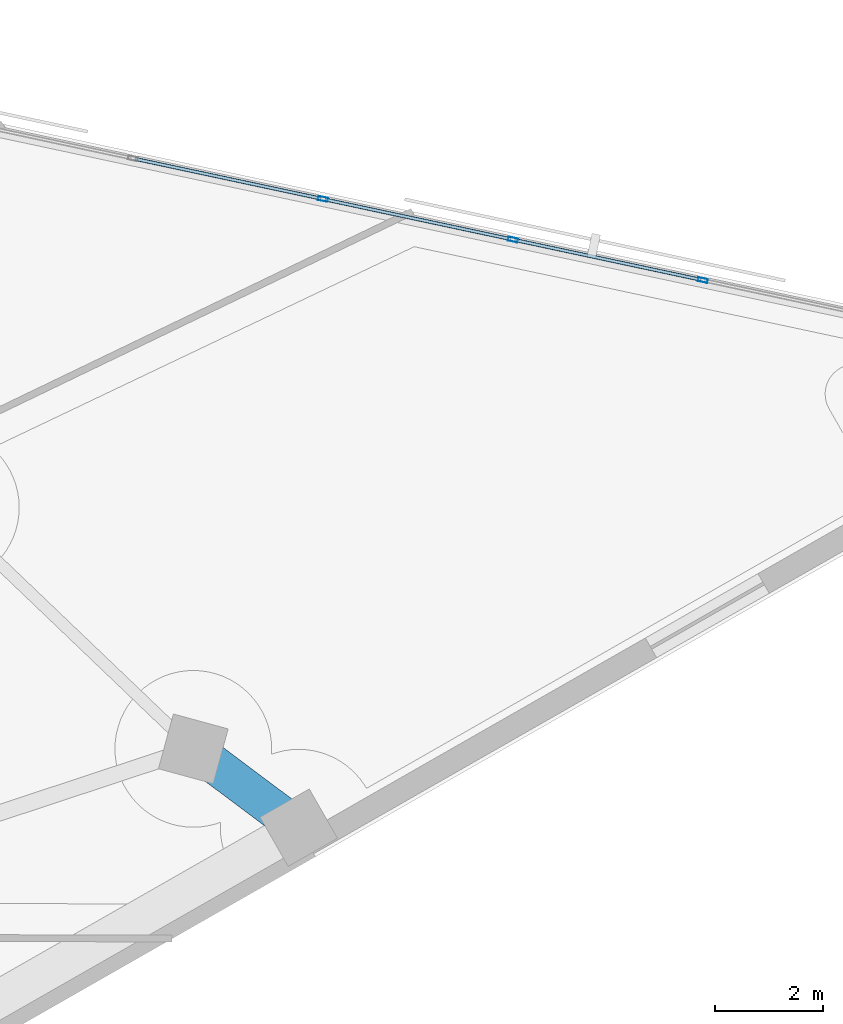
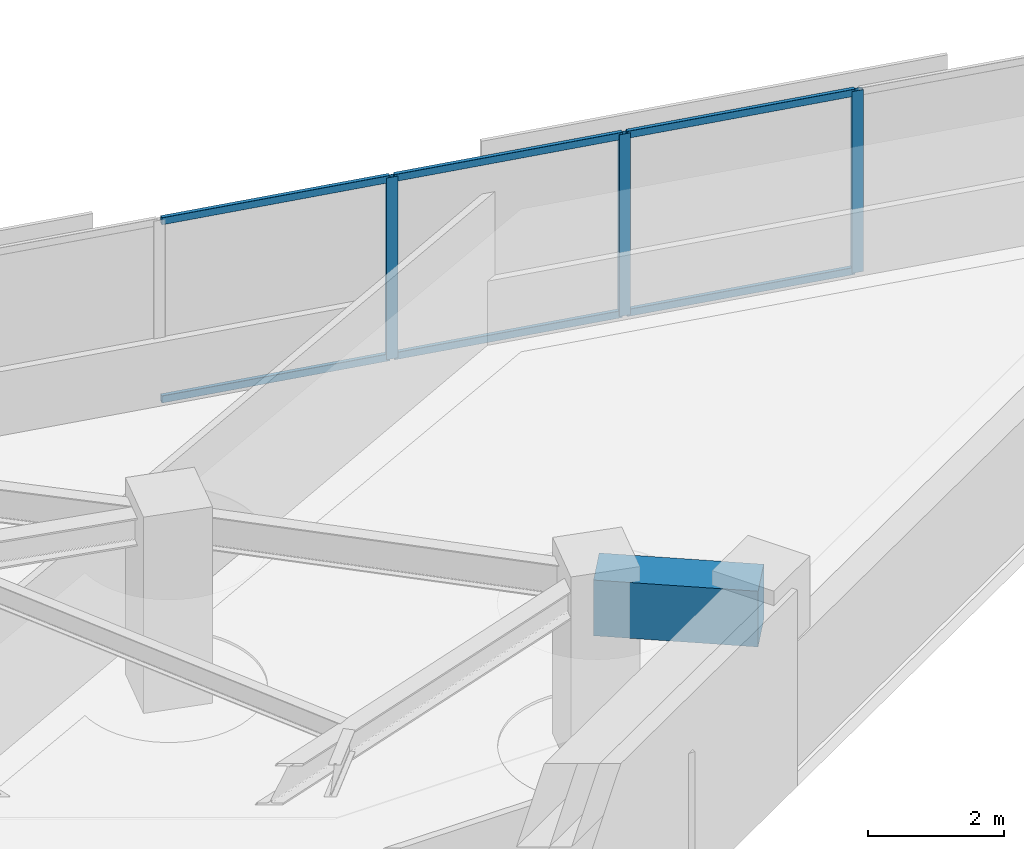
# One storey, part 5 of 14: 9 members, 1 beam, 1 element without a shape of its own.
"""IFC4 building model written with IfcOpenShell, lengths in metres."""

import ifcopenshell
import ifcopenshell.guid

model = None  # the IFC model being written
_history = None  # IfcOwnerHistory: only IFC2X3 demands one
_inside = {}  # id of a spatial element -> (the spatial element, [elements in it])
_under = {}  # id of a project, library or spatial element -> (it, [spatial elements below it])
_declared = {}  # id of a project -> (the project, [libraries it declares])
_typed = {}  # id of a type object -> (the type object, [elements of that type])
_made_of = {}  # id of a material, layer set ... -> (it, [elements and type objects made of it])


def new_model(schema):
    """Start an empty IFC model of exactly this schema.

    Asked for "IFC4X3", IfcOpenShell would pick the latest addendum, in which some entities
    have other attributes; the version numbers below select the first issue.
    IFC2X3 requires an IfcOwnerHistory on every rooted entity: one is made here for all.
    """
    global model, _history
    if schema == "IFC4X3":
        model = ifcopenshell.file(schema_version=(4, 3, 0, 0))
    else:
        model = ifcopenshell.file(schema=schema)
    _inside.clear()
    _under.clear()
    _declared.clear()
    _typed.clear()
    _made_of.clear()
    _history = None
    if model.schema == "IFC2X3":
        org = make("IfcOrganization", Name="unknown")
        user = make(
            "IfcPersonAndOrganization",
            ThePerson=make("IfcPerson", FamilyName="unknown"),
            TheOrganization=org,
        )
        app = make(
            "IfcApplication",
            ApplicationDeveloper=org,
            Version="unknown",
            ApplicationFullName="unknown",
            ApplicationIdentifier="unknown",
        )
        _history = make(
            "IfcOwnerHistory",
            OwningUser=user,
            OwningApplication=app,
            ChangeAction="ADDED",
            CreationDate=0,
        )
    return model


def make(cls, **values):
    """One entity of the class cls with the attributes given. An attribute that is None is left unset."""
    return model.create_entity(
        cls, **{name: value for name, value in values.items() if value is not None}
    )


def rooted(cls, **values):
    """An entity with a GlobalId (a new one), such as an element, a storey or a relation."""
    return make(cls, GlobalId=ifcopenshell.guid.new(), OwnerHistory=_history, **values)


def si_unit(unit_type, name, prefix=None):
    """IfcSIUnit, for example si_unit("LENGTHUNIT", "METRE", prefix="MILLI")."""
    return make("IfcSIUnit", UnitType=unit_type, Prefix=prefix, Name=name)


def assignment(units):
    """IfcUnitAssignment: the units of a project."""
    return None if units is None else make("IfcUnitAssignment", Units=units)


def point(xyz):
    """IfcCartesianPoint."""
    return None if xyz is None else make("IfcCartesianPoint", Coordinates=xyz)


def direction(xyz):
    """IfcDirection."""
    return None if xyz is None else make("IfcDirection", DirectionRatios=xyz)


def frame(location, z_axis=None, x_axis=None):
    """IfcAxis2Placement3D, a coordinate frame: its origin and axes. An axis left out is left unset."""
    return make(
        "IfcAxis2Placement3D",
        Location=point(location),
        Axis=direction(z_axis),
        RefDirection=direction(x_axis),
    )


def frame_2d(location, x_axis=None):
    """IfcAxis2Placement2D, a coordinate frame in the plane: its origin and x axis."""
    return make(
        "IfcAxis2Placement2D", Location=point(location), RefDirection=direction(x_axis)
    )


def origin():
    """The frame at (0, 0, 0) with its axes left unset."""
    return frame((0.0, 0.0, 0.0))


def origin_2d():
    """The frame at (0, 0) in the plane with its x axis left unset."""
    return frame_2d((0.0, 0.0))


def place(relative_to, where):
    """IfcLocalPlacement: puts the frame where relative to a parent placement (None: the world)."""
    return make(
        "IfcLocalPlacement", PlacementRelTo=relative_to, RelativePlacement=where
    )


def context(
    kind, dimensions, precision=None, world=None, true_north=None, identifier=None
):
    """IfcGeometricRepresentationContext, for example the 3D "Model" context."""
    return make(
        "IfcGeometricRepresentationContext",
        ContextIdentifier=identifier,
        ContextType=kind,
        CoordinateSpaceDimension=dimensions,
        Precision=precision,
        WorldCoordinateSystem=world,
        TrueNorth=true_north,
    )


def subcontext(parent, identifier, kind, view, scale=None):
    """IfcGeometricRepresentationSubContext, for example "Body" below "Model"."""
    return make(
        "IfcGeometricRepresentationSubContext",
        ContextIdentifier=identifier,
        ContextType=kind,
        ParentContext=parent,
        TargetScale=scale,
        TargetView=view,
    )


def project(units=None, contexts=None):
    """IfcProject with its units and contexts."""
    return rooted(
        "IfcProject",
        Name="project",
        RepresentationContexts=contexts,
        UnitsInContext=assignment(units),
    )


def spatial(cls, under=None, at=None, **own):
    """A site, building, storey or space (cls), placed at a placement, below another one or the project."""
    s = rooted(cls, ObjectPlacement=at, **own)
    if under is not None:
        _under.setdefault(under.id(), (under, []))[1].append(s)
    return s


def profile(cls, at=None, kind="AREA", **sizes):
    """A parametric profile (cls). Its sizes go by their IFC names, for example OverallWidth=200.0."""
    return make(cls, ProfileType=kind, Position=at, **sizes)


def rectangle(**sizes):
    """IfcRectangleProfileDef."""
    return profile("IfcRectangleProfileDef", **sizes)


def hollow_rectangle(**sizes):
    """IfcRectangleHollowProfileDef."""
    return profile("IfcRectangleHollowProfileDef", **sizes)


def extrude(swept, where, along, depth):
    """IfcExtrudedAreaSolid: the profile swept, set in the frame where, extruded along a direction by depth."""
    return make(
        "IfcExtrudedAreaSolid",
        SweptArea=swept,
        Position=where,
        ExtrudedDirection=direction(along),
        Depth=depth,
    )


def shape(context_of_items, identifier, shape_type, items):
    """IfcShapeRepresentation: the items that make up one representation, for example the "Body"."""
    return make(
        "IfcShapeRepresentation",
        ContextOfItems=context_of_items,
        RepresentationIdentifier=identifier,
        RepresentationType=shape_type,
        Items=items,
    )


def material(Name=None, Category=None):
    """IfcMaterial."""
    return make("IfcMaterial", Name=Name, Category=Category)


def material_profile(
    of_material, cross_section, Name=None, Category=None, Priority=None
):
    """IfcMaterialProfile: a cross section and its material."""
    return make(
        "IfcMaterialProfile",
        Name=Name,
        Material=of_material,
        Profile=cross_section,
        Priority=Priority,
        Category=Category,
    )


def profile_set(profiles, Name=None, composite=None):
    """IfcMaterialProfileSet."""
    return make(
        "IfcMaterialProfileSet",
        Name=Name,
        MaterialProfiles=profiles,
        CompositeProfile=composite,
    )


def made_of(thing, what):
    """Note that an element or type object is made of a material, layer set ...; save() writes the relation."""
    if what is not None:
        _made_of.setdefault(what.id(), (what, []))[1].append(thing)
    return thing


def type_object(cls, material=None, **own):
    """A type object (cls), such as IfcWallType, which elements share."""
    return made_of(rooted(cls, **own), material)


def element(
    cls,
    number,
    at=None,
    inside=None,
    cuts=None,
    type_object=None,
    material=None,
    context=None,
    identifier="Body",
    shape_type=None,
    held_by="IfcProductDefinitionShape",
    body=None,
    shapes=None,
    **own,
):
    """One element of the class cls, such as IfcWall. Its Tag is "e" and its number.

    at: its placement. inside: the storey or other place that contains it. cuts: it is an
    opening in that element (IfcRelVoidsElement). A single representation is given by context,
    identifier, shape_type and body (its items); several are given by shapes. held_by: the class
    of the entity that holds the representations. save() writes the other relations.
    """
    e = rooted(cls, Tag="e%d" % number, ObjectPlacement=at, **own)
    if body is not None:
        shapes = [shape(context, identifier, shape_type, body)]
    if shapes is not None:
        e.Representation = make(held_by, Representations=shapes)
    if inside is not None:
        _inside.setdefault(inside.id(), (inside, []))[1].append(e)
    if cuts is not None:
        rooted(
            "IfcRelVoidsElement", RelatingBuildingElement=cuts, RelatedOpeningElement=e
        )
    if type_object is not None:
        _typed.setdefault(type_object.id(), (type_object, []))[1].append(e)
    return made_of(e, material)


def aggregate(whole, parts):
    """IfcRelAggregates: a whole, such as a stair, and the parts it consists of."""
    return rooted("IfcRelAggregates", RelatingObject=whole, RelatedObjects=parts)


def save(model, path):
    """Write the relations noted so far, then the file.

    IfcRelAggregates (storeys below a building ...), IfcRelContainedInSpatialStructure (elements
    in a storey), IfcRelDefinesByType, IfcRelAssociatesMaterial and IfcRelDeclares: one each for
    every whole, place, type object, material and project.
    """
    for whole, parts in _under.values():
        aggregate(whole, parts)
    for where, things in _inside.values():
        rooted(
            "IfcRelContainedInSpatialStructure",
            RelatedElements=things,
            RelatingStructure=where,
        )
    for kind, things in _typed.values():
        rooted("IfcRelDefinesByType", RelatedObjects=things, RelatingType=kind)
    for what, things in _made_of.values():
        rooted("IfcRelAssociatesMaterial", RelatedObjects=things, RelatingMaterial=what)
    for by, libraries in _declared.values():
        rooted("IfcRelDeclares", RelatingContext=by, RelatedDefinitions=libraries)
    model.write(path)


model = new_model("IFC4")

# Units and contexts
model_context = context("Model", 3, precision=1e-05, world=origin(), true_north=direction((0.0, 1.0)))
body_context = subcontext(model_context, "Body", "Model", "MODEL_VIEW")
ifc_project = project(units=[si_unit("LENGTHUNIT", "METRE"), si_unit("AREAUNIT", "SQUARE_METRE"), si_unit("VOLUMEUNIT", "CUBIC_METRE"), si_unit("PLANEANGLEUNIT", "RADIAN"), si_unit("MASSUNIT", "GRAM", prefix="KILO")], contexts=[model_context])

# Site, building, storey
site_placement = place(None, origin())
site = spatial("IfcSite", under=ifc_project, at=site_placement, CompositionType="ELEMENT")
building_placement = place(site_placement, origin())
building = spatial("IfcBuilding", under=site, at=building_placement, Name="Narakoshi Arena Tower", CompositionType="ELEMENT")
storey_placement = place(building_placement, frame((0.0, 0.0, 204.419921875)))
storey = spatial("IfcBuildingStorey", under=building, at=storey_placement, Name="L55", CompositionType="ELEMENT", Elevation=204.419921875)

# Beam
ifc_material_1 = material(Name="Concrete C60/75", Category="concrete")
ifc_material_profile_1 = material_profile(ifc_material_1, rectangle(XDim=0.699951171875, YDim=1.0, at=origin_2d()), Name="RCB700x1000")
ifc_profile_set_1 = profile_set([ifc_material_profile_1], Name="Concrete C60/75")
beam_type = type_object("IfcBeamType", Name="BM-CPL-1000", PredefinedType="BEAM", material=ifc_profile_set_1)
beam_placement = place(storey_placement, frame((104.619873046875, 47.550048828125, 2.760009765625), z_axis=(-0.800768849668, 0.59897349641, 0.0), x_axis=(-0.59897349641, -0.800768849668, 0.0)))
element("IfcBeam", 1, at=beam_placement, inside=storey, type_object=beam_type, Name="L55 Perimeter Edge Girder 03", PredefinedType="BEAM", context=body_context, shape_type="SweptSolid", body=[
    extrude(rectangle(XDim=0.699951171875, YDim=1.0, at=origin_2d()), origin(), (0.0, 0.0, 1.0), 2.4365234375),
])

# Curtain wall, members
ifc_material_2 = material(Name="Anodised bronze aluminium 6063-T6", Category="aluminium")
curtain_wall_type = type_object("IfcCurtainWallType", Name="CW-HYP-MID", PredefinedType="NOTDEFINED", material=ifc_material_2)
curtain_wall_placement = place(storey_placement, origin())
curtain_wall = element("IfcCurtainWall", 2, at=curtain_wall_placement, inside=storey, type_object=curtain_wall_type, Name="L55 Folded Hypotenuse Curtain Wall 1-1", PredefinedType="NOTDEFINED")
ifc_material_profile_2 = material_profile(ifc_material_2, hollow_rectangle(XDim=0.074951171875, YDim=0.179931640625, WallThickness=0.00390625, OuterFilletRadius=0.0048828125, at=origin_2d()), Name="MUL180x75x4")
ifc_profile_set_2 = profile_set([ifc_material_profile_2], Name="Anodised bronze aluminium 6063-T6")
member_type_1 = type_object("IfcMemberType", Name="MEM-MUL-180", PredefinedType="MULLION", material=ifc_profile_set_2)
member_1_placement = place(storey_placement, frame((112.096435546875, 57.680908203125, 0.0), z_axis=(0.0, 0.0, 1.0), x_axis=(-0.208899163248, -0.977937185914, 0.0)))
member_1 = element("IfcMember", 3, at=member_1_placement, type_object=member_type_1, Name="CW-02 mullion 2", PredefinedType="MULLION", context=body_context, shape_type="SweptSolid", body=[
    extrude(hollow_rectangle(XDim=0.074951171875, YDim=0.179931640625, WallThickness=0.00390625, OuterFilletRadius=0.0048828125, at=origin_2d()), origin(), (0.0, 0.0, 1.0), 3.260009765625),
])
member_2_placement = place(storey_placement, frame((108.582275390625, 58.431640625, 0.0), z_axis=(0.0, 0.0, 1.0), x_axis=(-0.208899163248, -0.977937185914, 0.0)))
member_2 = element("IfcMember", 4, at=member_2_placement, type_object=member_type_1, Name="CW-02 mullion 3", PredefinedType="MULLION", context=body_context, shape_type="SweptSolid", body=[
    extrude(hollow_rectangle(XDim=0.074951171875, YDim=0.179931640625, WallThickness=0.00390625, OuterFilletRadius=0.0048828125, at=origin_2d()), origin(), (0.0, 0.0, 1.0), 3.260009765625),
])
member_3_placement = place(storey_placement, frame((105.068115234375, 59.182373046875, 0.0), z_axis=(0.0, 0.0, 1.0), x_axis=(-0.208899163248, -0.977937185914, 0.0)))
member_3 = element("IfcMember", 5, at=member_3_placement, type_object=member_type_1, Name="CW-02 mullion 4", PredefinedType="MULLION", context=body_context, shape_type="SweptSolid", body=[
    extrude(hollow_rectangle(XDim=0.074951171875, YDim=0.179931640625, WallThickness=0.00390625, OuterFilletRadius=0.0048828125, at=origin_2d()), origin(), (0.0, 0.0, 1.0), 3.260009765625),
])
ifc_material_profile_3 = material_profile(ifc_material_2, hollow_rectangle(XDim=0.06494140625, YDim=0.1298828125, WallThickness=0.00390625, OuterFilletRadius=0.0048828125, at=origin_2d()), Name="TRN130x65x4")
ifc_profile_set_3 = profile_set([ifc_material_profile_3], Name="Anodised bronze aluminium 6063-T6")
member_type_2 = type_object("IfcMemberType", Name="MEM-TRN-130", PredefinedType="USERDEFINED", material=ifc_profile_set_3)
member_4_placement = place(storey_placement, frame((112.059814453125, 57.688720703125, 0.032470703125), z_axis=(-0.977932198567, 0.20892250957, 0.0), x_axis=(-0.20892250957, -0.977932198567, 0.0)))
member_4 = element("IfcMember", 6, at=member_4_placement, type_object=member_type_2, Name="CW-02 transom 2.1", ObjectType="TRANSOM", PredefinedType="USERDEFINED", context=body_context, shape_type="SweptSolid", body=[
    extrude(hollow_rectangle(XDim=0.06494140625, YDim=0.1298828125, WallThickness=0.00390625, OuterFilletRadius=0.0048828125, at=origin_2d()), origin(), (0.0, 0.0, 1.0), 3.5185546875),
])
member_5_placement = place(storey_placement, frame((112.059814453125, 57.688720703125, 3.2275390625), z_axis=(-0.977932198567, 0.20892250957, 0.0), x_axis=(-0.20892250957, -0.977932198567, 0.0)))
member_5 = element("IfcMember", 7, at=member_5_placement, type_object=member_type_2, Name="CW-02 transom 2.2", ObjectType="TRANSOM", PredefinedType="USERDEFINED", context=body_context, shape_type="SweptSolid", body=[
    extrude(hollow_rectangle(XDim=0.06494140625, YDim=0.1298828125, WallThickness=0.00390625, OuterFilletRadius=0.0048828125, at=origin_2d()), origin(), (0.0, 0.0, 1.0), 3.5185546875),
])
member_6_placement = place(storey_placement, frame((108.545654296875, 58.439453125, 0.032470703125), z_axis=(-0.977946373003, 0.208856150329, 0.0), x_axis=(-0.208856150329, -0.977946373003, 0.0)))
member_6 = element("IfcMember", 8, at=member_6_placement, type_object=member_type_2, Name="CW-02 transom 3.1", ObjectType="TRANSOM", PredefinedType="USERDEFINED", context=body_context, shape_type="SweptSolid", body=[
    extrude(hollow_rectangle(XDim=0.06494140625, YDim=0.1298828125, WallThickness=0.00390625, OuterFilletRadius=0.0048828125, at=origin_2d()), origin(), (0.0, 0.0, 1.0), 3.5185546875),
])
member_7_placement = place(storey_placement, frame((108.545654296875, 58.439453125, 3.2275390625), z_axis=(-0.977946373003, 0.208856150329, 0.0), x_axis=(-0.208856150329, -0.977946373003, 0.0)))
member_7 = element("IfcMember", 9, at=member_7_placement, type_object=member_type_2, Name="CW-02 transom 3.2", ObjectType="TRANSOM", PredefinedType="USERDEFINED", context=body_context, shape_type="SweptSolid", body=[
    extrude(hollow_rectangle(XDim=0.06494140625, YDim=0.1298828125, WallThickness=0.00390625, OuterFilletRadius=0.0048828125, at=origin_2d()), origin(), (0.0, 0.0, 1.0), 3.5185546875),
])
member_8_placement = place(storey_placement, frame((105.031494140625, 59.190185546875, 0.032470703125), z_axis=(-0.977943345954, 0.208870323659, 0.0), x_axis=(-0.208870323659, -0.977943345954, 0.0)))
member_8 = element("IfcMember", 10, at=member_8_placement, type_object=member_type_2, Name="CW-02 transom 4.1", ObjectType="TRANSOM", PredefinedType="USERDEFINED", context=body_context, shape_type="SweptSolid", body=[
    extrude(hollow_rectangle(XDim=0.06494140625, YDim=0.1298828125, WallThickness=0.00390625, OuterFilletRadius=0.0048828125, at=origin_2d()), origin(), (0.0, 0.0, 1.0), 3.518310546875),
])
member_9_placement = place(storey_placement, frame((105.031494140625, 59.190185546875, 3.2275390625), z_axis=(-0.977943345954, 0.208870323659, 0.0), x_axis=(-0.208870323659, -0.977943345954, 0.0)))
member_9 = element("IfcMember", 11, at=member_9_placement, type_object=member_type_2, Name="CW-02 transom 4.2", ObjectType="TRANSOM", PredefinedType="USERDEFINED", context=body_context, shape_type="SweptSolid", body=[
    extrude(hollow_rectangle(XDim=0.06494140625, YDim=0.1298828125, WallThickness=0.00390625, OuterFilletRadius=0.0048828125, at=origin_2d()), origin(), (0.0, 0.0, 1.0), 3.518310546875),
])
aggregate(curtain_wall, [member_1, member_2, member_3, member_4, member_5, member_6, member_7, member_8, member_9])

save(model, "model.ifc")
